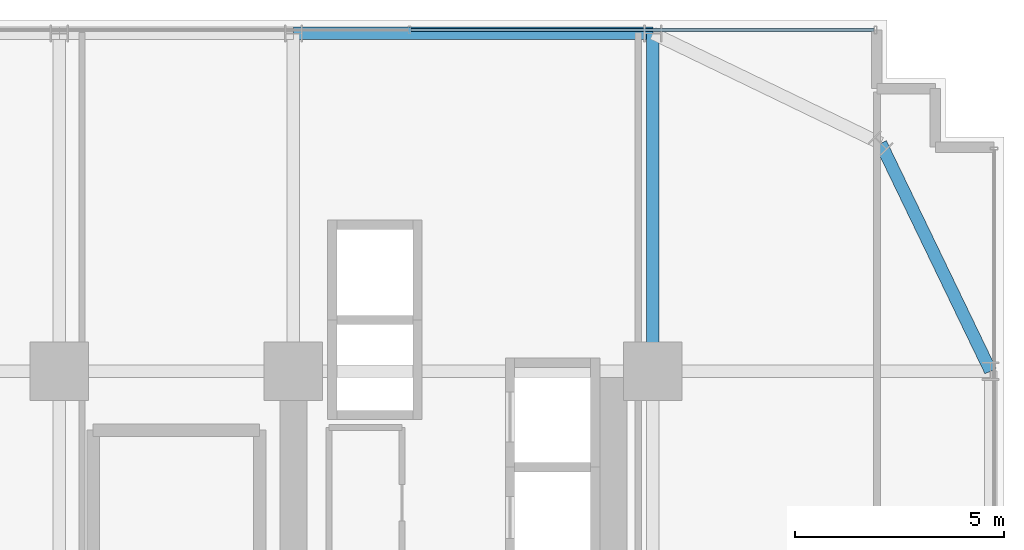
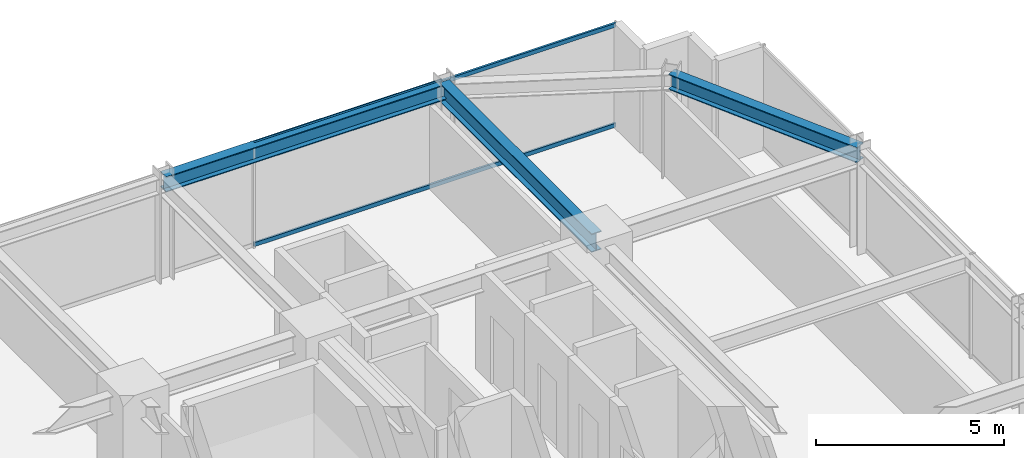
# One storey, part 28 of 37: 3 beams, 2 members, 1 element without a shape of its own.
"""IFC4 building model written with IfcOpenShell, lengths in metres."""

from ifc_helpers import new_model, si_unit, direction, frame, origin, origin_2d, place, context, subcontext, project, spatial, hollow_rectangle, i_section, extrude, source, transform, mapped, material, material_profile, profile_set, type_object, element, aggregate, save


model = new_model("IFC4")

# Units and contexts
model_context = context("Model", 3, precision=1e-05, world=origin(), true_north=direction((0.0, 1.0)))
body_context = subcontext(model_context, "Body", "Model", "MODEL_VIEW")
ifc_project = project(units=[si_unit("LENGTHUNIT", "METRE"), si_unit("AREAUNIT", "SQUARE_METRE"), si_unit("VOLUMEUNIT", "CUBIC_METRE"), si_unit("PLANEANGLEUNIT", "RADIAN"), si_unit("MASSUNIT", "GRAM", prefix="KILO")], contexts=[model_context])

# Site, building, storey
site_placement = place(None, origin())
site = spatial("IfcSite", under=ifc_project, at=site_placement, CompositionType="ELEMENT")
building_placement = place(site_placement, origin())
building = spatial("IfcBuilding", under=site, at=building_placement, Name="Nahalor Promenade Grand Hotel", CompositionType="ELEMENT")
storey_placement = place(building_placement, frame((0.0, 0.0, 36.050048828125)))
storey = spatial("IfcBuildingStorey", under=building, at=storey_placement, Name="L07", CompositionType="ELEMENT", Elevation=36.050048828125)

# Beams
ifc_material_1 = material(Name="Steel S355JR", Category="steel")
ifc_material_profile_1 = material_profile(ifc_material_1, i_section(OverallWidth=0.3, OverallDepth=0.5, WebThickness=0.0145, FlangeThickness=0.028, at=origin_2d()), Name="HEB 500")
ifc_profile_set_1 = profile_set([ifc_material_profile_1], Name="Steel S355JR")
beam_type_1 = type_object("IfcBeamType", Name="Beam-Spandrel-HEB500", PredefinedType="SPANDREL", material=ifc_profile_set_1)
shared_shape_1 = source(origin(), body_context, "Body", "SweptSolid", [
    extrude(i_section(OverallWidth=0.3, OverallDepth=0.5, WebThickness=0.0145, FlangeThickness=0.028, at=origin_2d()), origin(), (0.0, 0.0, 1.0), 8.60009765625),
])
beam_1_placement = place(storey_placement, frame((8.39990234375, 25.080078125, 3.119873046875), z_axis=(1.0, 0.0, 0.0), x_axis=(0.0, 1.0, 0.0)))
element("IfcBeam", 1, at=beam_1_placement, inside=storey, type_object=beam_type_1, Name="BM-L07-SP-N-4", PredefinedType="SPANDREL", context=body_context, shape_type="MappedRepresentation", body=[
    mapped(shared_shape_1, transform((0.0, 0.0, 0.0), scale=1.0)),
])
ifc_material_profile_2 = material_profile(ifc_material_1, i_section(OverallWidth=0.3, OverallDepth=0.6, WebThickness=0.0155, FlangeThickness=0.03, at=origin_2d()), Name="HEB 600")
ifc_profile_set_2 = profile_set([ifc_material_profile_2], Name="Steel S355JR")
beam_type_2 = type_object("IfcBeamType", Name="Beam-Girder-HEB600", PredefinedType="BEAM", material=ifc_profile_set_2)
shared_shape_2 = source(origin(), body_context, "Body", "SweptSolid", [
    extrude(i_section(OverallWidth=0.3, OverallDepth=0.6, WebThickness=0.0155, FlangeThickness=0.03, at=origin_2d()), origin(), (0.0, 0.0, 1.0), 8.080078125),
])
beam_2_placement = place(storey_placement, frame((17.0, 17.0, 3.070068359375), z_axis=(0.0, 1.0, 0.0), x_axis=(-1.0, 0.0, 0.0)))
element("IfcBeam", 2, at=beam_2_placement, inside=storey, type_object=beam_type_2, Name="BM-L07-GY-5-4", PredefinedType="BEAM", context=body_context, shape_type="MappedRepresentation", body=[
    mapped(shared_shape_2, transform((0.0, 0.0, 0.0), scale=1.0)),
])
shared_shape_3 = source(origin(), body_context, "Body", "SweptSolid", [
    extrude(i_section(OverallWidth=0.3, OverallDepth=0.5, WebThickness=0.0145, FlangeThickness=0.028, at=origin_2d()), origin(), (0.0, 0.0, 1.0), 6.051513671875),
])
beam_3_placement = place(storey_placement, frame((22.449951171875, 22.449951171875, 3.119873046875), z_axis=(0.434630596492, -0.900608818852, 0.0), x_axis=(0.900608818852, 0.434630596492, 0.0)))
element("IfcBeam", 3, at=beam_3_placement, inside=storey, type_object=beam_type_1, Name="BM-L07-SPC-NE-2", PredefinedType="SPANDREL", context=body_context, shape_type="MappedRepresentation", body=[
    mapped(shared_shape_3, transform((0.0, 0.0, 0.0), scale=1.0)),
])

# Curtain wall, members
ifc_material_2 = material(Name="Anodised Bronze Aluminium EN AW-6063 T6", Category="aluminium")
curtain_wall_type = type_object("IfcCurtainWallType", Name="CW2 Typical Hotel Flush Bronze Unitised Curtain Wall", PredefinedType="USERDEFINED", material=ifc_material_2)
curtain_wall_placement = place(storey_placement, origin())
curtain_wall = element("IfcCurtainWall", 4, at=curtain_wall_placement, inside=storey, type_object=curtain_wall_type, Name="L07 Curtain Wall CW-L07-N-1", ObjectType="UNITISED_CURTAIN_WALL", PredefinedType="USERDEFINED")
ifc_material_profile_3 = material_profile(ifc_material_2, hollow_rectangle(XDim=0.065, YDim=0.13, WallThickness=0.004, at=origin_2d()), Name="CWT 65x130x4")
ifc_profile_set_3 = profile_set([ifc_material_profile_3], Name="Anodised Bronze Aluminium EN AW-6063 T6")
member_type = type_object("IfcMemberType", Name="CWT2 Typical Bronze Transom 65x130", PredefinedType="USERDEFINED", material=ifc_profile_set_3)
shared_shape_4 = source(origin(), body_context, "Body", "SweptSolid", [
    extrude(hollow_rectangle(XDim=0.065, YDim=0.13, WallThickness=0.004, at=origin_2d()), origin(), (0.0, 0.0, 1.0), 11.08251953125),
])
member_1_placement = place(storey_placement, frame((11.21240234375, 25.159912109375, 0.06494140625), z_axis=(1.0, 0.0, 0.0), x_axis=(0.0, 1.0, 0.0)))
member_1 = element("IfcMember", 5, at=member_1_placement, type_object=member_type, Name="CW-L07-N-1 Transom 3-0", ObjectType="TRANSOM", PredefinedType="USERDEFINED", context=body_context, shape_type="MappedRepresentation", body=[
    mapped(shared_shape_4, transform((0.0, 0.0, 0.0), scale=1.0)),
])
member_2_placement = place(storey_placement, frame((11.21240234375, 25.159912109375, 3.304931640625), z_axis=(1.0, 0.0, 0.0), x_axis=(0.0, 1.0, 0.0)))
member_2 = element("IfcMember", 6, at=member_2_placement, type_object=member_type, Name="CW-L07-N-1 Transom 3-1", ObjectType="TRANSOM", PredefinedType="USERDEFINED", context=body_context, shape_type="MappedRepresentation", body=[
    mapped(shared_shape_4, transform((0.0, 0.0, 0.0), scale=1.0)),
])
aggregate(curtain_wall, [member_1, member_2])

save(model, "model.ifc")
